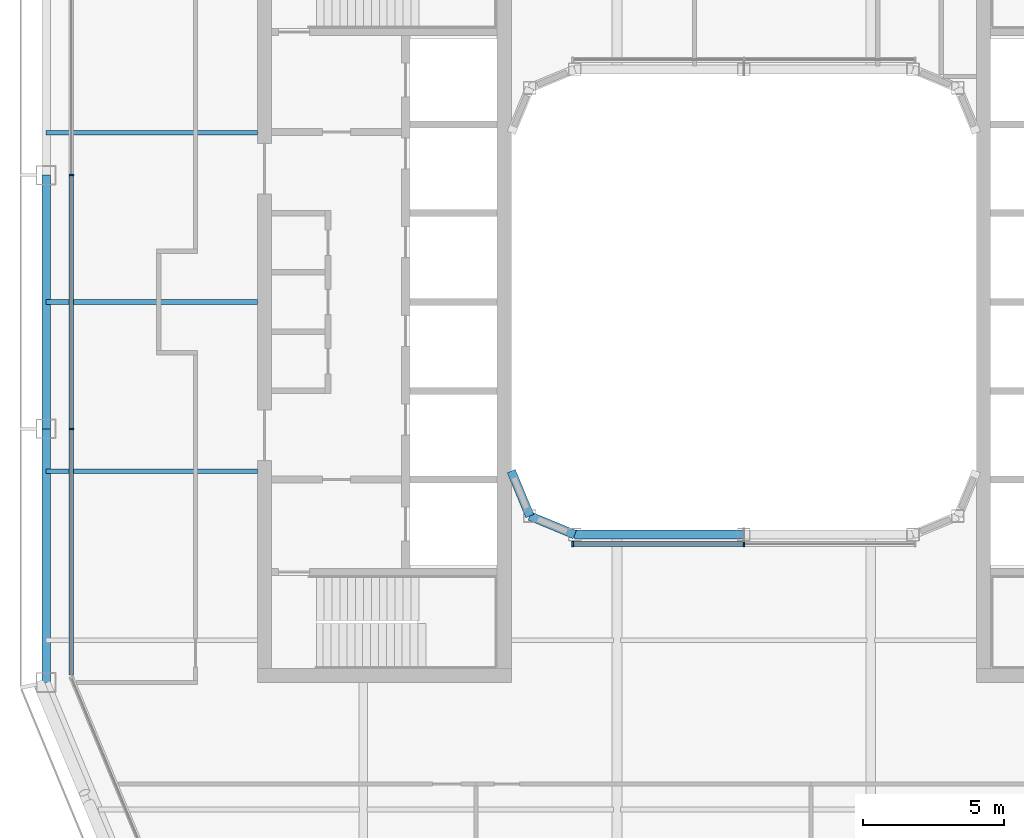
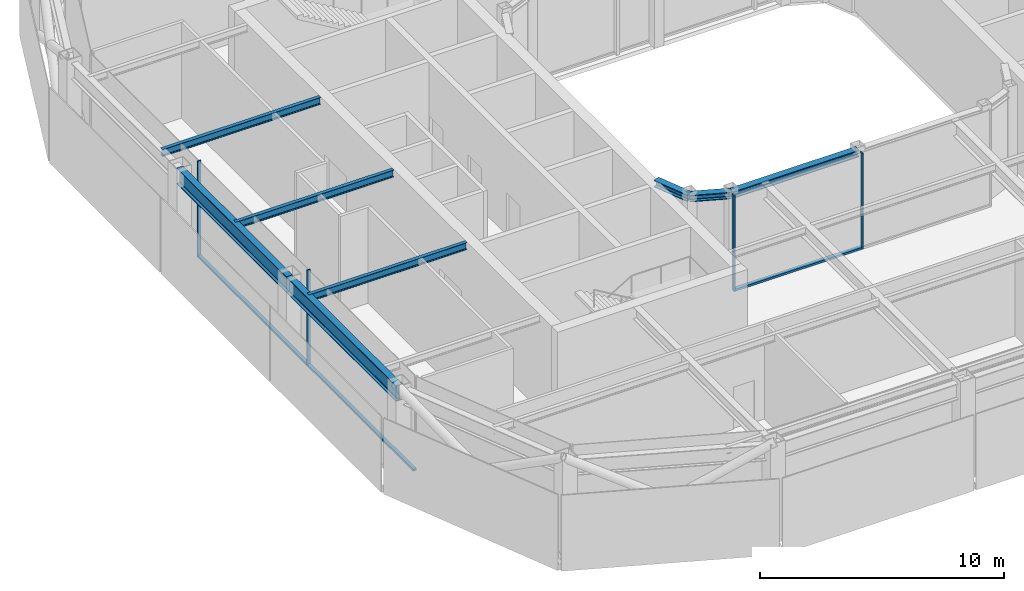
# One storey, part 4 of 17: 8 beams, 7 members, 2 elements without a shape of their own.
"""IFC4 building model written with IfcOpenShell, lengths in metres."""

from ifc_helpers import new_model, si_unit, direction, frame, origin, origin_2d, place, context, subcontext, project, spatial, rectangle, i_section, extrude, material, layer, layer_set, material_profile, profile_set, type_object, element, aggregate, save


model = new_model("IFC4")

# Units and contexts
model_context = context("Model", 3, precision=1e-05, world=origin(), true_north=direction((0.0, 1.0)))
body_context = subcontext(model_context, "Body", "Model", "MODEL_VIEW")
ifc_project = project(units=[si_unit("LENGTHUNIT", "METRE"), si_unit("AREAUNIT", "SQUARE_METRE"), si_unit("VOLUMEUNIT", "CUBIC_METRE"), si_unit("PLANEANGLEUNIT", "RADIAN"), si_unit("MASSUNIT", "GRAM", prefix="KILO")], contexts=[model_context])

# Site, building, storey
site_placement = place(None, origin())
site = spatial("IfcSite", under=ifc_project, at=site_placement, CompositionType="ELEMENT")
building_placement = place(site_placement, origin())
building = spatial("IfcBuilding", under=site, at=building_placement, Name="Siwar Civic Tower", CompositionType="ELEMENT")
storey_placement = place(building_placement, frame((0.0, 0.0, 348.199951171875)))
storey = spatial("IfcBuildingStorey", under=building, at=storey_placement, Name="L75", CompositionType="ELEMENT", Elevation=348.199951171875)

# Curtain wall, members
ifc_material_1 = material(Name="Aluminium and glass", Category="aluminium")
ifc_layer_1 = layer(ifc_material_1, 0.159912109375)
ifc_layer_set_1 = layer_set([ifc_layer_1], Name="Aluminium and glass")
curtain_wall_type_1 = type_object("IfcCurtainWallType", Name="ENV-CW-D", PredefinedType="NOTDEFINED", material=ifc_layer_set_1)
curtain_wall_1_placement = place(storey_placement, origin())
curtain_wall_1 = element("IfcCurtainWall", 1, at=curtain_wall_1_placement, inside=storey, type_object=curtain_wall_type_1, Name="Curtain wall D W", PredefinedType="NOTDEFINED")
ifc_material_2 = material(Name="Aluminium 6063-T6", Category="aluminium")
ifc_material_profile_1 = material_profile(ifc_material_2, rectangle(XDim=0.159912109375, YDim=0.06005859375, at=origin_2d()), Name="AL 160x60")
ifc_profile_set_1 = profile_set([ifc_material_profile_1], Name="Aluminium 6063-T6")
member_type_1 = type_object("IfcMemberType", Name="ENV-MULLION-D", PredefinedType="MULLION", material=ifc_profile_set_1)
member_1_placement = place(storey_placement, frame((-23.85009765625, 4.5, 0.0), z_axis=(0.0, 0.0, 1.0), x_axis=(1.0, 0.0, 0.0)))
member_1 = element("IfcMember", 2, at=member_1_placement, type_object=member_type_1, Name="Mullion D W 2", PredefinedType="MULLION", context=body_context, shape_type="SweptSolid", body=[
    extrude(rectangle(XDim=0.159912109375, YDim=0.06005859375, at=origin_2d()), origin(), (0.0, 0.0, 1.0), 4.800048828125),
])
member_2_placement = place(storey_placement, frame((-23.85009765625, -4.5, 0.0), z_axis=(0.0, 0.0, 1.0), x_axis=(1.0, 0.0, 0.0)))
member_2 = element("IfcMember", 3, at=member_2_placement, type_object=member_type_1, Name="Mullion D W 3", PredefinedType="MULLION", context=body_context, shape_type="SweptSolid", body=[
    extrude(rectangle(XDim=0.159912109375, YDim=0.06005859375, at=origin_2d()), origin(), (0.0, 0.0, 1.0), 4.800048828125),
])

ifc_material_3 = material(Name="Aluminium and glass", Category="aluminium")
ifc_layer_2 = layer(ifc_material_3, 0.179931640625)
ifc_layer_set_2 = layer_set([ifc_layer_2], Name="Aluminium and glass")
curtain_wall_type_2 = type_object("IfcCurtainWallType", Name="ENV-CW-W", PredefinedType="NOTDEFINED", material=ifc_layer_set_2)
curtain_wall_2_placement = place(storey_placement, origin())
curtain_wall_2 = element("IfcCurtainWall", 4, at=curtain_wall_2_placement, inside=storey, type_object=curtain_wall_type_2, Name="Curtain wall W WS", PredefinedType="NOTDEFINED")
ifc_material_4 = material(Name="Aluminium 6063-T6", Category="aluminium")
ifc_material_profile_2 = material_profile(ifc_material_4, rectangle(XDim=0.179931640625, YDim=0.06005859375, at=origin_2d()), Name="AL 180x60")
ifc_profile_set_2 = profile_set([ifc_material_profile_2], Name="Aluminium 6063-T6")
member_type_2 = type_object("IfcMemberType", Name="ENV-MULLION-W", PredefinedType="MULLION", material=ifc_profile_set_2)
member_3_placement = place(storey_placement, frame((-6.066650390625, -8.5849609375, 0.0), z_axis=(0.0, 0.0, 1.0), x_axis=(0.0, 1.0, 0.0)))
member_3 = element("IfcMember", 5, at=member_3_placement, type_object=member_type_2, Name="Mullion W WS 1", PredefinedType="MULLION", context=body_context, shape_type="SweptSolid", body=[
    extrude(rectangle(XDim=0.179931640625, YDim=0.06005859375, at=origin_2d()), origin(), (0.0, 0.0, 1.0), 4.800048828125),
])
member_4_placement = place(storey_placement, frame((0.0, -8.5849609375, 0.0), z_axis=(0.0, 0.0, 1.0), x_axis=(0.0, 1.0, 0.0)))
member_4 = element("IfcMember", 6, at=member_4_placement, type_object=member_type_2, Name="Mullion W WS 2", PredefinedType="MULLION", context=body_context, shape_type="SweptSolid", body=[
    extrude(rectangle(XDim=0.179931640625, YDim=0.06005859375, at=origin_2d()), origin(), (0.0, 0.0, 1.0), 4.800048828125),
])

# Member
ifc_material_5 = material(Name="Aluminium 6063-T6", Category="aluminium")
ifc_material_profile_3 = material_profile(ifc_material_5, rectangle(XDim=0.159912109375, YDim=0.10009765625, at=origin_2d()), Name="AL 160x100")
ifc_profile_set_3 = profile_set([ifc_material_profile_3], Name="Aluminium 6063-T6")
member_type_3 = type_object("IfcMemberType", Name="ENV-TRANSOM-D", PredefinedType="USERDEFINED", material=ifc_profile_set_3)
member_5_placement = place(storey_placement, frame((-23.85009765625, 4.469970703125, 0.050048828125), z_axis=(0.0, -1.0, 0.0), x_axis=(1.0, 0.0, 0.0)))
member_5 = element("IfcMember", 7, at=member_5_placement, type_object=member_type_3, Name="Transom D W 2", ObjectType="TRANSOM", PredefinedType="USERDEFINED", context=body_context, shape_type="SweptSolid", body=[
    extrude(rectangle(XDim=0.159912109375, YDim=0.10009765625, at=origin_2d()), origin(), (0.0, 0.0, 1.0), 8.93994140625),
])

member_6_placement = place(storey_placement, frame((-23.85009765625, -4.530029296875, 0.050048828125), z_axis=(0.0, -1.0, 0.0), x_axis=(1.0, 0.0, 0.0)))
member_6 = element("IfcMember", 8, at=member_6_placement, type_object=member_type_3, Name="Transom D W 3", ObjectType="TRANSOM", PredefinedType="USERDEFINED", context=body_context, shape_type="SweptSolid", body=[
    extrude(rectangle(XDim=0.159912109375, YDim=0.10009765625, at=origin_2d()), origin(), (0.0, 0.0, 1.0), 8.693115234375),
])

aggregate(curtain_wall_1, [member_1, member_2, member_5, member_6])

ifc_material_6 = material(Name="Aluminium 6063-T6", Category="aluminium")
ifc_material_profile_4 = material_profile(ifc_material_6, rectangle(XDim=0.179931640625, YDim=0.10009765625, at=origin_2d()), Name="AL 180x100")
ifc_profile_set_4 = profile_set([ifc_material_profile_4], Name="Aluminium 6063-T6")
member_type_4 = type_object("IfcMemberType", Name="ENV-TRANSOM-W", PredefinedType="USERDEFINED", material=ifc_profile_set_4)
member_7_placement = place(storey_placement, frame((-6.03662109375, -8.5849609375, 0.050048828125), z_axis=(1.0, 0.0, 0.0), x_axis=(0.0, 1.0, 0.0)))
member_7 = element("IfcMember", 9, at=member_7_placement, type_object=member_type_4, Name="Transom W WS 1", ObjectType="TRANSOM", PredefinedType="USERDEFINED", context=body_context, shape_type="SweptSolid", body=[
    extrude(rectangle(XDim=0.179931640625, YDim=0.10009765625, at=origin_2d()), origin(), (0.0, 0.0, 1.0), 6.006591796875),
])

aggregate(curtain_wall_2, [member_3, member_4, member_7])

# Beams
ifc_material_7 = material(Name="Steel S355", Category="steel")
ifc_material_profile_5 = material_profile(ifc_material_7, i_section(OverallWidth=0.169921875, OverallDepth=0.360107421875, WebThickness=0.008056640625, FlangeThickness=0.0126953125, FilletRadius=0.01806640625, at=origin_2d()), Name="IPE360")
ifc_profile_set_5 = profile_set([ifc_material_profile_5], Name="Steel S355")
beam_type_1 = type_object("IfcBeamType", Name="STR-FB-IPE360", PredefinedType="JOIST", material=ifc_profile_set_5)
for number, where, z_axis, x_axis, name in (
    (10, (-24.75, -6.0, 4.6201171875), (1.0, 0.0, 0.0), (0.0, 1.0, 0.0), "L75/bm/F016"),
    (11, (-24.75, 0.0, 4.6201171875), (1.0, 0.0, 0.0), (0.0, 1.0, 0.0), "L75/bm/F018"),
    (12, (-24.75, 6.0, 4.6201171875), (1.0, 0.0, 0.0), (0.0, 1.0, 0.0), "L75/bm/F020"),
):
    element("IfcBeam", number, at=place(storey_placement, frame(where, z_axis=z_axis, x_axis=x_axis)), inside=storey, type_object=beam_type_1, Name=name, PredefinedType="JOIST", context=body_context, shape_type="SweptSolid", body=[
        extrude(i_section(OverallWidth=0.169921875, OverallDepth=0.360107421875, WebThickness=0.008056640625, FlangeThickness=0.0126953125, FilletRadius=0.01806640625, at=origin_2d()), origin(), (0.0, 0.0, 1.0), 7.5),
    ])
ifc_material_8 = material(Name="Steel S355", Category="steel")
ifc_material_profile_6 = material_profile(ifc_material_8, i_section(OverallWidth=0.31005859375, OverallDepth=0.340087890625, WebThickness=0.02099609375, FlangeThickness=0.0390625, FilletRadius=0.027099609375, at=origin_2d()), Name="HEM300")
ifc_profile_set_6 = profile_set([ifc_material_profile_6], Name="Steel S355")
beam_type_2 = type_object("IfcBeamType", Name="STR-RB-HEM300", PredefinedType="BEAM", material=ifc_profile_set_6)
beam_1_placement = place(storey_placement, frame((-7.591064453125, -7.591064453125, 4.630126953125), z_axis=(0.923901072997, -0.382631424892, 0.0), x_axis=(0.382631424892, 0.923901072997, 0.0)))
element("IfcBeam", 13, at=beam_1_placement, inside=storey, type_object=beam_type_2, Name="L75/bm/RS0", PredefinedType="BEAM", context=body_context, shape_type="SweptSolid", body=[
    extrude(i_section(OverallWidth=0.31005859375, OverallDepth=0.340087890625, WebThickness=0.02099609375, FlangeThickness=0.0390625, FilletRadius=0.027099609375, at=origin_2d()), origin(), (0.0, 0.0, 1.0), 1.72216796875),
])
beam_2_placement = place(storey_placement, frame((-6.0, -8.25, 4.630126953125), z_axis=(1.0, 0.0, 0.0), x_axis=(0.0, 1.0, 0.0)))
element("IfcBeam", 14, at=beam_2_placement, inside=storey, type_object=beam_type_2, Name="L75/bm/RS1", PredefinedType="BEAM", context=body_context, shape_type="SweptSolid", body=[
    extrude(i_section(OverallWidth=0.31005859375, OverallDepth=0.340087890625, WebThickness=0.02099609375, FlangeThickness=0.0390625, FilletRadius=0.027099609375, at=origin_2d()), origin(), (0.0, 0.0, 1.0), 6.0),
])
beam_3_placement = place(storey_placement, frame((-7.591064453125, -7.591064453125, 4.630126953125), z_axis=(-0.382631424892, 0.923901072997, 0.0), x_axis=(-0.923901072997, -0.382631424892, 0.0)))
element("IfcBeam", 15, at=beam_3_placement, inside=storey, type_object=beam_type_2, Name="L75/bm/RSEW", PredefinedType="BEAM", context=body_context, shape_type="SweptSolid", body=[
    extrude(i_section(OverallWidth=0.31005859375, OverallDepth=0.340087890625, WebThickness=0.02099609375, FlangeThickness=0.0390625, FilletRadius=0.027099609375, at=origin_2d()), origin(), (0.0, 0.0, 1.0), 1.72216796875),
])
ifc_material_9 = material(Name="Steel S355", Category="steel")
ifc_material_profile_7 = material_profile(ifc_material_9, i_section(OverallWidth=0.300048828125, OverallDepth=0.800048828125, WebThickness=0.017578125, FlangeThickness=0.032958984375, FilletRadius=0.030029296875, at=origin_2d()), Name="HEB800")
ifc_profile_set_7 = profile_set([ifc_material_profile_7], Name="Steel S355")
beam_type_3 = type_object("IfcBeamType", Name="STR-SB-HEB800", PredefinedType="BEAM", material=ifc_profile_set_7)
for number, where, z_axis, x_axis, name in (
    (16, (-24.75, 4.5, 4.400146484375), (0.0, -1.0, 0.0), (1.0, 0.0, 0.0), "L75/bm/SW-1"),
    (17, (-24.75, -4.5, 4.400146484375), (0.0, -1.0, 0.0), (1.0, 0.0, 0.0), "L75/bm/SW-2"),
):
    element("IfcBeam", number, at=place(storey_placement, frame(where, z_axis=z_axis, x_axis=x_axis)), inside=storey, type_object=beam_type_3, Name=name, PredefinedType="BEAM", context=body_context, shape_type="SweptSolid", body=[
        extrude(i_section(OverallWidth=0.300048828125, OverallDepth=0.800048828125, WebThickness=0.017578125, FlangeThickness=0.032958984375, FilletRadius=0.030029296875, at=origin_2d()), origin(), (0.0, 0.0, 1.0), 9.0),
    ])

save(model, "model.ifc")
